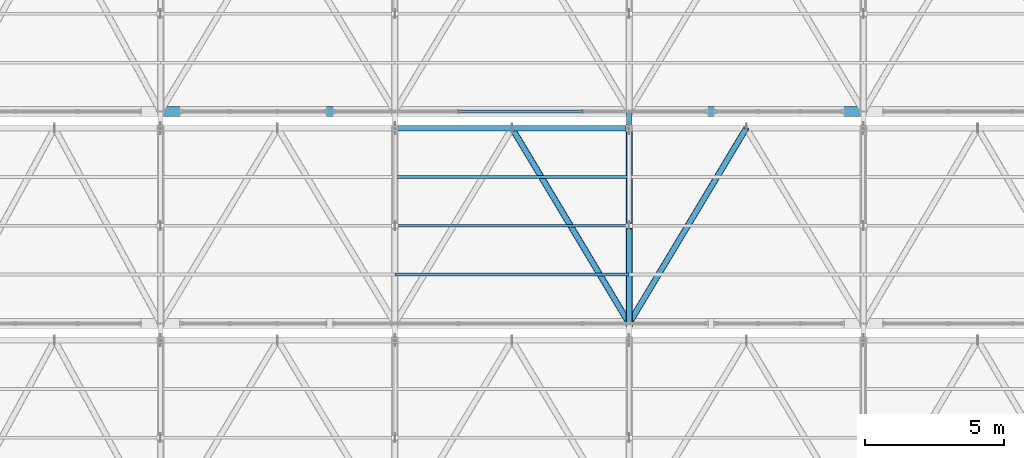
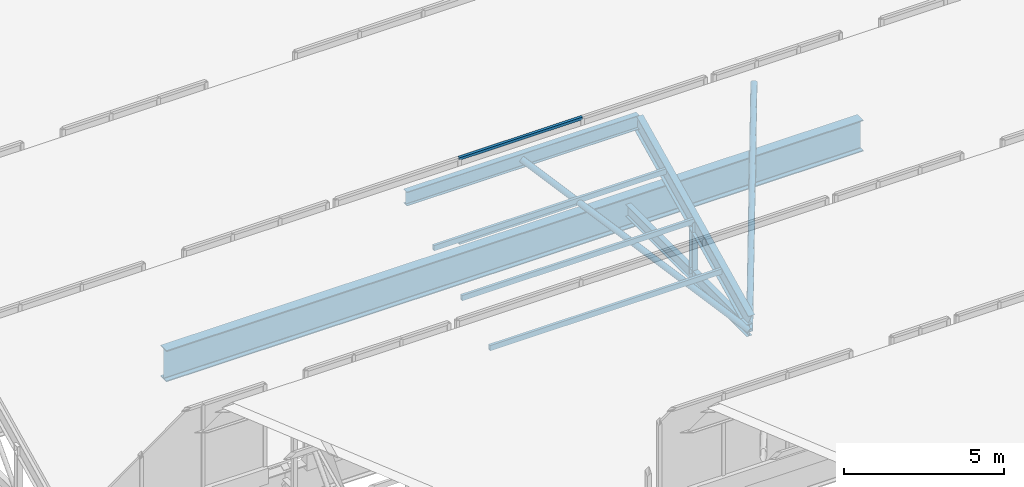
# One storey, part 28 of 57: 11 members, 1 beam, 1 element without a shape of its own.
"""IFC4 building model written with IfcOpenShell, lengths in metres."""

from ifc_helpers import new_model, si_unit, direction, frame, origin, origin_2d, place, context, subcontext, project, spatial, hollow_rectangle, hollow_circle, i_section, extrude, material, material_profile, profile_set, type_object, element, aggregate, save


model = new_model("IFC4")

# Units and contexts
model_context = context("Model", 3, precision=1e-05, world=origin(), true_north=direction((0.0, 1.0)))
body_context = subcontext(model_context, "Body", "Model", "MODEL_VIEW")
ifc_project = project(units=[si_unit("LENGTHUNIT", "METRE"), si_unit("AREAUNIT", "SQUARE_METRE"), si_unit("VOLUMEUNIT", "CUBIC_METRE"), si_unit("PLANEANGLEUNIT", "RADIAN"), si_unit("MASSUNIT", "GRAM", prefix="KILO")], contexts=[model_context])

# Site, building, storey
site_placement = place(None, origin())
site = spatial("IfcSite", under=ifc_project, at=site_placement, CompositionType="ELEMENT")
building_placement = place(site_placement, origin())
building = spatial("IfcBuilding", under=site, at=building_placement, Name="Zuvorla Pavilion Media Centre", CompositionType="ELEMENT")
storey_placement = place(building_placement, frame((0.0, 0.0, 18.0)))
storey = spatial("IfcBuildingStorey", under=building, at=storey_placement, Name="L04", CompositionType="ELEMENT", Elevation=18.0)

# Beam
ifc_material_1 = material(Name="Steel S355", Category="steel")
ifc_material_profile_1 = material_profile(ifc_material_1, i_section(OverallWidth=0.360107421875, OverallDepth=1.199951171875, WebThickness=0.02001953125, FlangeThickness=0.0380859375, FilletRadius=0.02392578125, at=origin_2d()), Name="PG 1200x360x38")
ifc_profile_set_1 = profile_set([ifc_material_profile_1], Name="Steel S355")
beam_type = type_object("IfcBeamType", Name="BM-PG1200", PredefinedType="BEAM", material=ifc_profile_set_1)
beam_placement = place(storey_placement, frame((125.60009765625, 28.800048828125, -0.887939453125), z_axis=(1.0, 0.0, 0.0), x_axis=(0.0, 1.0, 0.0)))
element("IfcBeam", 1, at=beam_placement, inside=storey, type_object=beam_type, Name="L04 beam B01 1824", PredefinedType="BEAM", context=body_context, shape_type="SweptSolid", body=[
    extrude(i_section(OverallWidth=0.360107421875, OverallDepth=1.199951171875, WebThickness=0.02001953125, FlangeThickness=0.0380859375, FilletRadius=0.02392578125, at=origin_2d()), origin(), (0.0, 0.0, 1.0), 25.199951171875),
])

# Curtain wall, members
ifc_material_2 = material(Name="Unitised anodised aluminium and solar glass curtain wall", Category="aluminium")
curtain_wall_type = type_object("IfcCurtainWallType", Name="CW-SYS-95", PredefinedType="USERDEFINED", material=ifc_material_2)
curtain_wall_placement = place(storey_placement, origin())
curtain_wall = element("IfcCurtainWall", 2, at=curtain_wall_placement, inside=storey, type_object=curtain_wall_type, Name="L04 curtain wall CW95 237", ObjectType="CURTAIN WALL", PredefinedType="USERDEFINED")
ifc_material_3 = material(Name="Anodised aluminium 6063-T6", Category="aluminium")
ifc_material_profile_2 = material_profile(ifc_material_3, hollow_rectangle(XDim=0.10009765625, YDim=0.10009765625, WallThickness=0.00439453125, at=origin_2d()), Name="ALU TRAN 100x100")
ifc_profile_set_2 = profile_set([ifc_material_profile_2], Name="Anodised aluminium 6063-T6")
member_type_1 = type_object("IfcMemberType", Name="CW-TRAN-100", PredefinedType="USERDEFINED", material=ifc_profile_set_2)
member_1_placement = place(storey_placement, frame((136.275634765625, 28.800048828125, 0.0), z_axis=(1.0, 0.0, 0.0), x_axis=(0.0, 1.0, 0.0)))
member_1 = element("IfcMember", 3, at=member_1_placement, type_object=member_type_1, Name="CW95 transom 2.1", ObjectType="TRANSOM", PredefinedType="USERDEFINED", context=body_context, shape_type="SweptSolid", body=[
    extrude(hollow_rectangle(XDim=0.10009765625, YDim=0.10009765625, WallThickness=0.00439453125, at=origin_2d()), origin(), (0.0, 0.0, 1.0), 4.44873046875),
])
member_2_placement = place(storey_placement, frame((136.275634765625, 28.800048828125, 3.219970703125), z_axis=(1.0, 0.0, 0.0), x_axis=(0.0, 1.0, 0.0)))
member_2 = element("IfcMember", 4, at=member_2_placement, type_object=member_type_1, Name="CW95 transom 2.2", ObjectType="TRANSOM", PredefinedType="USERDEFINED", context=body_context, shape_type="SweptSolid", body=[
    extrude(hollow_rectangle(XDim=0.10009765625, YDim=0.10009765625, WallThickness=0.00439453125, at=origin_2d()), origin(), (0.0, 0.0, 1.0), 4.44873046875),
])
aggregate(curtain_wall, [member_1, member_2])

# Members
ifc_material_profile_3 = material_profile(ifc_material_1, hollow_circle(Radius=0.109619140625, WallThickness=0.010009765625, at=origin_2d()), Name="CHS 219.1x10")
ifc_profile_set_3 = profile_set([ifc_material_profile_3], Name="Steel S355")
member_type_2 = type_object("IfcMemberType", Name="MEM-BRC-CHS219", PredefinedType="BRACE", material=ifc_profile_set_3)
for number, where, z_axis, x_axis, name in (
    (5, (138.199951171875, 28.199951171875, 2.882080078125), (0.46726169892, -0.778778552081, -0.418533716135), (0.857495564561, 0.514491357322, 0.0), "L04 diagonal brace TB02 662"),
    (6, (142.39990234375, 21.199951171875, -0.8798828125), (0.467282929861, 0.77876866804, 0.418528404221), (-0.857482370257, 0.514513347444, 0.0), "L04 diagonal brace TB02 667"),
):
    element("IfcMember", number, at=place(storey_placement, frame(where, z_axis=z_axis, x_axis=x_axis)), inside=storey, type_object=member_type_2, Name=name, PredefinedType="BRACE", context=body_context, shape_type="SweptSolid", body=[
        extrude(hollow_circle(Radius=0.109619140625, WallThickness=0.010009765625, at=origin_2d()), origin(), (0.0, 0.0, 1.0), 8.988525390625),
    ])
ifc_material_profile_4 = material_profile(ifc_material_1, i_section(OverallWidth=0.19140625, OverallDepth=0.4599609375, WebThickness=0.010009765625, FlangeThickness=0.01611328125, FilletRadius=0.01025390625, at=origin_2d()), Name="UB 457x191x82")
ifc_profile_set_4 = profile_set([ifc_material_profile_4], Name="Steel S355")
member_type_3 = type_object("IfcMemberType", Name="MEM-CHD-UB457", PredefinedType="CHORD", material=ifc_profile_set_4)
member_3_placement = place(storey_placement, frame((142.39990234375, 21.199951171875, -0.8798828125), z_axis=(0.0, 1.0, 0.0), x_axis=(-1.0, 0.0, 0.0)))
element("IfcMember", 7, at=member_3_placement, inside=storey, type_object=member_type_3, Name="L04 chord TC03 633", PredefinedType="CHORD", context=body_context, shape_type="SweptSolid", body=[
    extrude(i_section(OverallWidth=0.19140625, OverallDepth=0.4599609375, WebThickness=0.010009765625, FlangeThickness=0.01611328125, FilletRadius=0.01025390625, at=origin_2d()), origin(), (0.0, 0.0, 1.0), 7.60009765625),
])
ifc_material_profile_5 = material_profile(ifc_material_1, i_section(OverallWidth=0.2099609375, OverallDepth=0.53662109375, WebThickness=0.0107421875, FlangeThickness=0.017333984375, FilletRadius=0.0126953125, at=origin_2d()), Name="UB 533x210x101")
ifc_profile_set_5 = profile_set([ifc_material_profile_5], Name="Steel S355")
member_type_4 = type_object("IfcMemberType", Name="MEM-CHD-UB533", PredefinedType="CHORD", material=ifc_profile_set_5)
member_4_placement = place(storey_placement, frame((134.0, 28.199951171875, 2.882080078125), z_axis=(1.0, 0.0, 0.0), x_axis=(0.0, 1.0, 0.0)))
element("IfcMember", 8, at=member_4_placement, inside=storey, type_object=member_type_4, Name="L04 chord TC02 660", PredefinedType="CHORD", context=body_context, shape_type="SweptSolid", body=[
    extrude(i_section(OverallWidth=0.2099609375, OverallDepth=0.53662109375, WebThickness=0.0107421875, FlangeThickness=0.017333984375, FilletRadius=0.0126953125, at=origin_2d()), origin(), (0.0, 0.0, 1.0), 8.39990234375),
])
ifc_material_profile_6 = material_profile(ifc_material_1, i_section(OverallWidth=0.22900390625, OverallDepth=0.6123046875, WebThickness=0.011962890625, FlangeThickness=0.01953125, FilletRadius=0.0126953125, at=origin_2d()), Name="UB 610x229x125")
ifc_profile_set_6 = profile_set([ifc_material_profile_6], Name="Steel S355")
member_type_5 = type_object("IfcMemberType", Name="MEM-CHD-UB610", PredefinedType="CHORD", material=ifc_profile_set_6)
member_5_placement = place(storey_placement, frame((142.39990234375, 21.199951171875, -0.517822265625), z_axis=(0.0, 0.899513090263, 0.436893809117), x_axis=(-1.0, 0.0, 0.0)))
element("IfcMember", 9, at=member_5_placement, inside=storey, type_object=member_type_5, Name="L04 chord TC01 634", PredefinedType="CHORD", context=body_context, shape_type="SweptSolid", body=[
    extrude(i_section(OverallWidth=0.22900390625, OverallDepth=0.6123046875, WebThickness=0.011962890625, FlangeThickness=0.01953125, FilletRadius=0.0126953125, at=origin_2d()), origin(), (0.0, 0.0, 1.0), 7.781982421875),
])
ifc_material_profile_7 = material_profile(ifc_material_1, hollow_rectangle(XDim=0.10009765625, YDim=0.199951171875, WallThickness=0.008056640625, at=origin_2d()), Name="RHS 200x100x8")
ifc_profile_set_7 = profile_set([ifc_material_profile_7], Name="Steel S355")
member_type_6 = type_object("IfcMemberType", Name="MEM-PUR-RHS200", PredefinedType="PURLIN", material=ifc_profile_set_7)
for number, where, z_axis, x_axis, name in (
    (10, (134.0, 22.949951171875, 0.33203125), (1.0, 0.0, 0.0), (0.0, 1.0, 0.0), "L04 purlin PR01 663"),
    (11, (134.0, 24.699951171875, 1.18212890625), (1.0, 0.0, 0.0), (0.0, 1.0, 0.0), "L04 purlin PR01 664"),
    (12, (134.0, 26.449951171875, 2.031982421875), (1.0, 0.0, 0.0), (0.0, 1.0, 0.0), "L04 purlin PR01 665"),
):
    element("IfcMember", number, at=place(storey_placement, frame(where, z_axis=z_axis, x_axis=x_axis)), inside=storey, type_object=member_type_6, Name=name, PredefinedType="PURLIN", context=body_context, shape_type="SweptSolid", body=[
        extrude(hollow_rectangle(XDim=0.10009765625, YDim=0.199951171875, WallThickness=0.008056640625, at=origin_2d()), origin(), (0.0, 0.0, 1.0), 8.39990234375),
    ])
ifc_material_profile_8 = material_profile(ifc_material_1, i_section(OverallWidth=0.205810546875, OverallDepth=0.209716796875, WebThickness=0.009521484375, FlangeThickness=0.01416015625, FilletRadius=0.01025390625, at=origin_2d()), Name="UC 203x203x60")
ifc_profile_set_8 = profile_set([ifc_material_profile_8], Name="Steel S355")
member_type_7 = type_object("IfcMemberType", Name="MEM-STR-UC203", PredefinedType="STRUT", material=ifc_profile_set_8)
member_6_placement = place(storey_placement, frame((142.39990234375, 24.699951171875, -0.8798828125), z_axis=(0.0, 0.0, 1.0), x_axis=(1.0, 0.0, 0.0)))
element("IfcMember", 13, at=member_6_placement, inside=storey, type_object=member_type_7, Name="L04 vertical strut TS02 637", PredefinedType="STRUT", context=body_context, shape_type="SweptSolid", body=[
    extrude(i_section(OverallWidth=0.205810546875, OverallDepth=0.209716796875, WebThickness=0.009521484375, FlangeThickness=0.01416015625, FilletRadius=0.01025390625, at=origin_2d()), origin(), (0.0, 0.0, 1.0), 2.06201171875),
])

save(model, "model.ifc")
